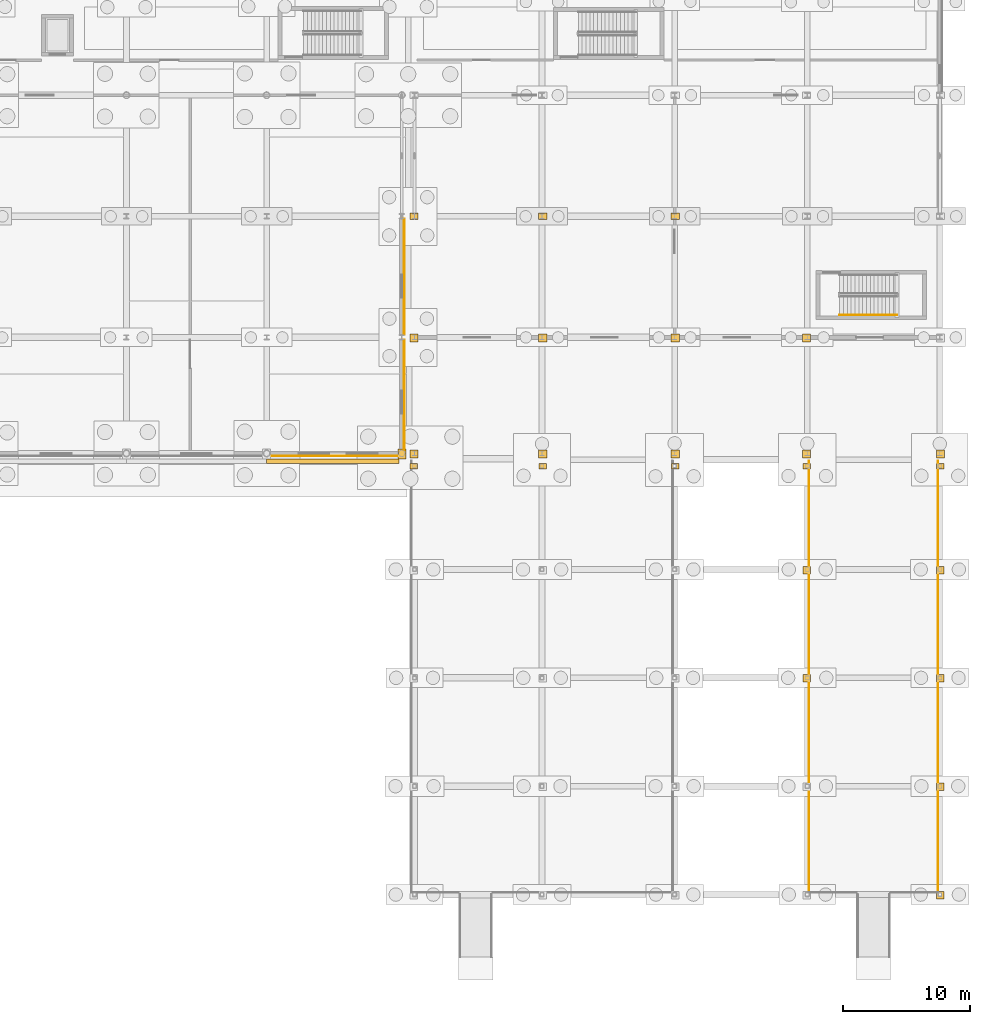
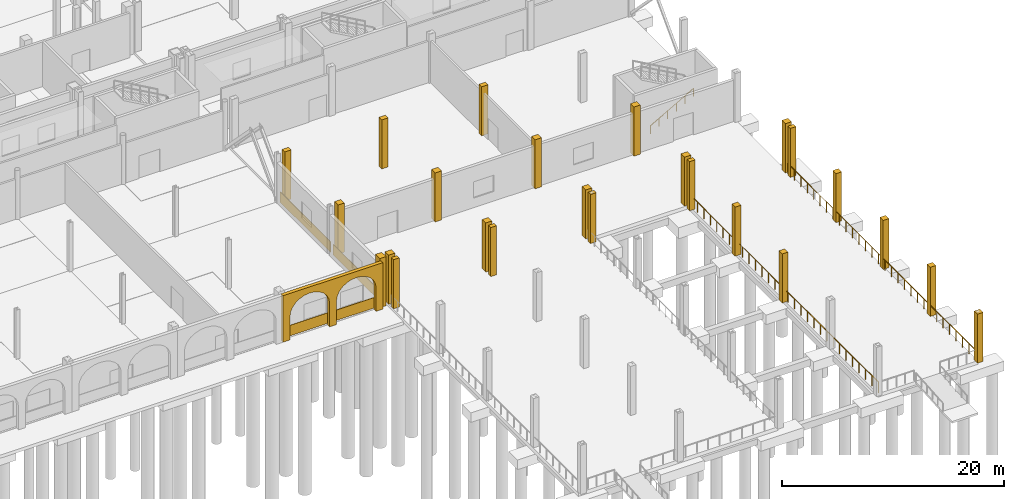
# One storey, part 79 of 83: 28 coverings, 3 railings.
"""IFC4 building model written with IfcOpenShell, lengths in metres."""

from ifc_helpers import new_model, si_unit, direction, frame, frame_2d, origin, origin_2d, place, context, subcontext, project, spatial, polyline, rectangle, circle, outline, extrude, material, layer, layer_set, type_object, element, save


model = new_model("IFC4")

# Units and contexts
model_context = context("Model", 3, precision=1e-05, world=origin(), true_north=direction((0.0, 1.0)))
body_context = subcontext(model_context, "Body", "Model", "MODEL_VIEW")
ifc_project = project(units=[si_unit("LENGTHUNIT", "METRE"), si_unit("AREAUNIT", "SQUARE_METRE"), si_unit("VOLUMEUNIT", "CUBIC_METRE"), si_unit("PLANEANGLEUNIT", "RADIAN"), si_unit("MASSUNIT", "GRAM", prefix="KILO")], contexts=[model_context])

# Site, building, storey
site_placement = place(None, origin())
site = spatial("IfcSite", under=ifc_project, at=site_placement, CompositionType="ELEMENT")
building_placement = place(site_placement, origin())
building = spatial("IfcBuilding", under=site, at=building_placement, Name="Caurita Quay Ferry Terminal", CompositionType="ELEMENT")
storey_placement = place(building_placement, origin())
storey = spatial("IfcBuildingStorey", under=building, at=storey_placement, Name="L00", CompositionType="ELEMENT", Elevation=0.0)

# Coverings
ifc_material_1 = material(Name="Warm-white lime stucco masonry", Category="masonry")
ifc_layer_1 = layer(ifc_material_1, 0.360107421875, Name="Spanish Colonial semicircular lime-stucco portales arcade 360 mm")
ifc_layer_set_1 = layer_set([ifc_layer_1], Name="Warm-white lime stucco masonry")
covering_type_1 = type_object("IfcCoveringType", Name="COV-ARC-CLD", PredefinedType="CLADDING", material=ifc_layer_set_1)
covering_1_placement = place(storey_placement, frame((121.199951171875, 34.0, 0.0), z_axis=(0.0, 0.0, 1.0), x_axis=(1.0, 0.0, 0.0)))
element("IfcCovering", 1, at=covering_1_placement, inside=storey, type_object=covering_type_1, Name="Harbourfront Coral-Stone Portales Arcade 029", PredefinedType="CLADDING", context=body_context, shape_type="SweptSolid", body=[
    extrude(outline(polyline([(0.0, 0.0), (0.719970703125, 0.0), (0.719970703125, 2.60009765625), (0.790283203125, 3.078857421875), (0.99609375, 3.52490234375), (1.323486328125, 3.908203125), (1.75, 4.2021484375), (2.246826171875, 4.386962890625), (2.780029296875, 4.449951171875), (3.313232421875, 4.386962890625), (3.81005859375, 4.2021484375), (4.23681640625, 3.908203125), (4.56396484375, 3.52490234375), (4.769775390625, 3.078857421875), (4.840087890625, 2.60009765625), (4.840087890625, 0.0), (5.56005859375, 0.0), (5.56005859375, 2.60009765625), (5.63037109375, 3.078857421875), (5.836181640625, 3.52490234375), (6.163330078125, 3.908203125), (6.590087890625, 4.2021484375), (7.0869140625, 4.386962890625), (7.6201171875, 4.449951171875), (8.1533203125, 4.386962890625), (8.650146484375, 4.2021484375), (9.07666015625, 3.908203125), (9.404052734375, 3.52490234375), (9.60986328125, 3.078857421875), (9.68017578125, 2.60009765625), (9.68017578125, 0.0), (10.400146484375, 0.0), (10.400146484375, 5.1201171875), (0.0, 5.1201171875), (0.0, 0.0)])), frame((0.0, 0.18017578125, 0.0), z_axis=(0.0, -1.0, 0.0), x_axis=(1.0, 0.0, 0.0)), (0.0, 0.0, 1.0), 0.360107421875),
])
ifc_material_2 = material(Name="Coral stone ashlar cladding", Category="masonry")
ifc_layer_2 = layer(ifc_material_2, 0.054931640625, Name="Rusticated coral-stone basamento plinth cladding 55 mm")
ifc_layer_set_2 = layer_set([ifc_layer_2], Name="Coral stone ashlar cladding")
covering_type_2 = type_object("IfcCoveringType", Name="COV-CORAL-CLD", PredefinedType="CLADDING", material=ifc_layer_set_2)
covering_2_placement = place(storey_placement, frame((131.9951171875, 34.845947265625, 0.0), z_axis=(0.0, 0.0, 1.0), x_axis=(0.0, 1.0, 0.0)))
element("IfcCovering", 2, at=covering_2_placement, inside=storey, type_object=covering_type_2, Name="Coral-Stone Basamento Cladding 133", PredefinedType="CLADDING", context=body_context, shape_type="SweptSolid", body=[
    extrude(rectangle(XDim=8.6591796875, YDim=0.054931640625, at=frame_2d((4.32958984375, 0.0))), origin(), (0.0, 0.0, 1.0), 1.14990234375),
])
covering_3_placement = place(storey_placement, frame((131.9951171875, 43.89501953125, 0.0), z_axis=(0.0, 0.0, 1.0), x_axis=(0.0, 1.0, 0.0)))
element("IfcCovering", 3, at=covering_3_placement, inside=storey, type_object=covering_type_2, Name="Coral-Stone Basamento Cladding 134", PredefinedType="CLADDING", context=body_context, shape_type="SweptSolid", body=[
    extrude(rectangle(XDim=9.110107421875, YDim=0.054931640625, at=frame_2d((4.55517578125, 0.0))), origin(), (0.0, 0.0, 1.0), 1.14990234375),
])
covering_4_placement = place(storey_placement, frame((121.446044921875, 34.405029296875, 0.0), z_axis=(0.0, 0.0, 1.0), x_axis=(1.0, 0.0, 0.0)))
element("IfcCovering", 4, at=covering_4_placement, inside=storey, type_object=covering_type_2, Name="Coral-Stone Basamento Cladding 140", PredefinedType="CLADDING", context=body_context, shape_type="SweptSolid", body=[
    extrude(rectangle(XDim=10.10791015625, YDim=0.054931640625, at=frame_2d((5.053955078125, 0.0))), origin(), (0.0, 0.0, 1.0), 1.14990234375),
])
ifc_layer_3 = layer(ifc_material_1, 0.179931640625, Name="Classical engaged lime-stucco facade pilaster cladding 180 mm")
ifc_layer_set_3 = layer_set([ifc_layer_3], Name="Warm-white lime stucco masonry")
covering_type_3 = type_object("IfcCoveringType", Name="COV-PIL-CLD", PredefinedType="CLADDING", material=ifc_layer_set_3)
covering_5_placement = place(storey_placement, frame((131.800048828125, 34.550048828125, 0.0), z_axis=(0.0, 0.0, 1.0), x_axis=(1.0, 0.0, 0.0)))
element("IfcCovering", 5, at=covering_5_placement, inside=storey, type_object=covering_type_3, Name="L00 Classical Engaged Pilaster 0110", PredefinedType="CLADDING", context=body_context, shape_type="SweptSolid", body=[
    extrude(rectangle(XDim=0.6279296875, YDim=0.7880859375, at=origin_2d()), origin(), (0.0, 0.0, 1.0), 5.39990234375),
])
for number, where, z_axis, x_axis, name in (
    (6, (132.75, 34.550048828125, 0.0), (0.0, 0.0, 1.0), (1.0, 0.0, 0.0), "L00 Classical Engaged Pilaster 0117"),
    (7, (132.75, 43.64990234375, 0.0), (0.0, 0.0, 1.0), (1.0, 0.0, 0.0), "L00 Classical Engaged Pilaster 0119"),
):
    element("IfcCovering", number, at=place(storey_placement, frame(where, z_axis=z_axis, x_axis=x_axis)), inside=storey, type_object=covering_type_3, Name=name, PredefinedType="CLADDING", context=body_context, shape_type="SweptSolid", body=[
        extrude(rectangle(XDim=0.65087890625, YDim=0.643310546875, at=origin_2d()), origin(), (0.0, 0.0, 1.0), 5.39990234375),
    ])
covering_6_placement = place(storey_placement, frame((132.75, 53.199951171875, 0.0), z_axis=(0.0, 0.0, 1.0), x_axis=(1.0, 0.0, 0.0)))
element("IfcCovering", 8, at=covering_6_placement, inside=storey, type_object=covering_type_3, Name="L00 Classical Engaged Pilaster 0121", PredefinedType="CLADDING", context=body_context, shape_type="SweptSolid", body=[
    extrude(rectangle(XDim=0.65087890625, YDim=0.483154296875, at=origin_2d()), origin(), (0.0, 0.0, 1.0), 5.39990234375),
])
covering_7_placement = place(storey_placement, frame((132.75, 33.60009765625, 0.0), z_axis=(0.0, 0.0, 1.0), x_axis=(1.0, 0.0, 0.0)))
element("IfcCovering", 9, at=covering_7_placement, inside=storey, type_object=covering_type_3, Name="L00 Classical Engaged Pilaster 0134", PredefinedType="CLADDING", context=body_context, shape_type="SweptSolid", body=[
    extrude(rectangle(XDim=0.584716796875, YDim=0.4248046875, at=origin_2d()), origin(), (0.0, 0.0, 1.0), 5.39990234375),
])
for number, where, z_axis, x_axis, name in (
    (10, (142.85009765625, 34.550048828125, 0.0), (0.0, 0.0, 1.0), (1.0, 0.0, 0.0), "L00 Classical Engaged Pilaster 0136"),
    (11, (142.85009765625, 43.64990234375, 0.0), (0.0, 0.0, 1.0), (1.0, 0.0, 0.0), "L00 Classical Engaged Pilaster 0138"),
):
    element("IfcCovering", number, at=place(storey_placement, frame(where, z_axis=z_axis, x_axis=x_axis)), inside=storey, type_object=covering_type_3, Name=name, PredefinedType="CLADDING", context=body_context, shape_type="SweptSolid", body=[
        extrude(rectangle(XDim=0.65087890625, YDim=0.643310546875, at=origin_2d()), origin(), (0.0, 0.0, 1.0), 5.39990234375),
    ])
covering_8_placement = place(storey_placement, frame((142.85009765625, 53.199951171875, 0.0), z_axis=(0.0, 0.0, 1.0), x_axis=(1.0, 0.0, 0.0)))
element("IfcCovering", 12, at=covering_8_placement, inside=storey, type_object=covering_type_3, Name="L00 Classical Engaged Pilaster 0140", PredefinedType="CLADDING", context=body_context, shape_type="SweptSolid", body=[
    extrude(rectangle(XDim=0.65087890625, YDim=0.483154296875, at=origin_2d()), origin(), (0.0, 0.0, 1.0), 5.39990234375),
])
covering_9_placement = place(storey_placement, frame((142.85009765625, 33.60009765625, 0.0), z_axis=(0.0, 0.0, 1.0), x_axis=(1.0, 0.0, 0.0)))
element("IfcCovering", 13, at=covering_9_placement, inside=storey, type_object=covering_type_3, Name="L00 Classical Engaged Pilaster 0153", PredefinedType="CLADDING", context=body_context, shape_type="SweptSolid", body=[
    extrude(rectangle(XDim=0.584716796875, YDim=0.4248046875, at=origin_2d()), origin(), (0.0, 0.0, 1.0), 5.39990234375),
])
for number, where, z_axis, x_axis, name in (
    (14, (153.25, 34.550048828125, 0.0), (0.0, 0.0, 1.0), (1.0, 0.0, 0.0), "L00 Classical Engaged Pilaster 0155"),
    (15, (153.25, 43.64990234375, 0.0), (0.0, 0.0, 1.0), (1.0, 0.0, 0.0), "L00 Classical Engaged Pilaster 0157"),
):
    element("IfcCovering", number, at=place(storey_placement, frame(where, z_axis=z_axis, x_axis=x_axis)), inside=storey, type_object=covering_type_3, Name=name, PredefinedType="CLADDING", context=body_context, shape_type="SweptSolid", body=[
        extrude(rectangle(XDim=0.65087890625, YDim=0.643310546875, at=origin_2d()), origin(), (0.0, 0.0, 1.0), 5.39990234375),
    ])
covering_10_placement = place(storey_placement, frame((153.25, 53.199951171875, 0.0), z_axis=(0.0, 0.0, 1.0), x_axis=(1.0, 0.0, 0.0)))
element("IfcCovering", 16, at=covering_10_placement, inside=storey, type_object=covering_type_3, Name="L00 Classical Engaged Pilaster 0159", PredefinedType="CLADDING", context=body_context, shape_type="SweptSolid", body=[
    extrude(rectangle(XDim=0.65087890625, YDim=0.483154296875, at=origin_2d()), origin(), (0.0, 0.0, 1.0), 5.39990234375),
])
covering_11_placement = place(storey_placement, frame((153.25, 33.60009765625, 0.0), z_axis=(0.0, 0.0, 1.0), x_axis=(1.0, 0.0, 0.0)))
element("IfcCovering", 17, at=covering_11_placement, inside=storey, type_object=covering_type_3, Name="L00 Classical Engaged Pilaster 0169", PredefinedType="CLADDING", context=body_context, shape_type="SweptSolid", body=[
    extrude(rectangle(XDim=0.584716796875, YDim=0.4248046875, at=origin_2d()), origin(), (0.0, 0.0, 1.0), 5.39990234375),
])
for number, where, z_axis, x_axis, name in (
    (18, (163.550048828125, 34.550048828125, 0.0), (0.0, 0.0, 1.0), (1.0, 0.0, 0.0), "L00 Classical Engaged Pilaster 0170"),
    (19, (163.550048828125, 43.64990234375, 0.0), (0.0, 0.0, 1.0), (1.0, 0.0, 0.0), "L00 Classical Engaged Pilaster 0172"),
):
    element("IfcCovering", number, at=place(storey_placement, frame(where, z_axis=z_axis, x_axis=x_axis)), inside=storey, type_object=covering_type_3, Name=name, PredefinedType="CLADDING", context=body_context, shape_type="SweptSolid", body=[
        extrude(rectangle(XDim=0.65087890625, YDim=0.643310546875, at=origin_2d()), origin(), (0.0, 0.0, 1.0), 5.39990234375),
    ])
for number, where, z_axis, x_axis, name in (
    (20, (163.550048828125, 16.949951171875, 0.0), (0.0, 0.0, 1.0), (1.0, 0.0, 0.0), "L00 Classical Engaged Pilaster 0183"),
    (21, (163.550048828125, 25.449951171875, 0.0), (0.0, 0.0, 1.0), (1.0, 0.0, 0.0), "L00 Classical Engaged Pilaster 0185"),
):
    element("IfcCovering", number, at=place(storey_placement, frame(where, z_axis=z_axis, x_axis=x_axis)), inside=storey, type_object=covering_type_3, Name=name, PredefinedType="CLADDING", context=body_context, shape_type="SweptSolid", body=[
        extrude(rectangle(XDim=0.584716796875, YDim=0.584716796875, at=origin_2d()), origin(), (0.0, 0.0, 1.0), 5.39990234375),
    ])
covering_12_placement = place(storey_placement, frame((163.550048828125, 33.60009765625, 0.0), z_axis=(0.0, 0.0, 1.0), x_axis=(1.0, 0.0, 0.0)))
element("IfcCovering", 22, at=covering_12_placement, inside=storey, type_object=covering_type_3, Name="L00 Classical Engaged Pilaster 0187", PredefinedType="CLADDING", context=body_context, shape_type="SweptSolid", body=[
    extrude(rectangle(XDim=0.584716796875, YDim=0.4248046875, at=origin_2d()), origin(), (0.0, 0.0, 1.0), 5.39990234375),
])
covering_13_placement = place(storey_placement, frame((174.050048828125, 34.550048828125, 0.0), z_axis=(0.0, 0.0, 1.0), x_axis=(1.0, 0.0, 0.0)))
element("IfcCovering", 23, at=covering_13_placement, inside=storey, type_object=covering_type_3, Name="L00 Classical Engaged Pilaster 0189", PredefinedType="CLADDING", context=body_context, shape_type="SweptSolid", body=[
    extrude(rectangle(XDim=0.65087890625, YDim=0.643310546875, at=origin_2d()), origin(), (0.0, 0.0, 1.0), 5.39990234375),
])
for number, where, z_axis, x_axis, name in (
    (24, (174.050048828125, -0.050048828125, 0.0), (0.0, 0.0, 1.0), (1.0, 0.0, 0.0), "L00 Classical Engaged Pilaster 0199"),
    (25, (174.050048828125, 8.449951171875, 0.0), (0.0, 0.0, 1.0), (1.0, 0.0, 0.0), "L00 Classical Engaged Pilaster 0200"),
    (26, (174.050048828125, 16.949951171875, 0.0), (0.0, 0.0, 1.0), (1.0, 0.0, 0.0), "L00 Classical Engaged Pilaster 0202"),
    (27, (174.050048828125, 25.449951171875, 0.0), (0.0, 0.0, 1.0), (1.0, 0.0, 0.0), "L00 Classical Engaged Pilaster 0204"),
):
    element("IfcCovering", number, at=place(storey_placement, frame(where, z_axis=z_axis, x_axis=x_axis)), inside=storey, type_object=covering_type_3, Name=name, PredefinedType="CLADDING", context=body_context, shape_type="SweptSolid", body=[
        extrude(rectangle(XDim=0.584716796875, YDim=0.584716796875, at=origin_2d()), origin(), (0.0, 0.0, 1.0), 5.39990234375),
    ])
covering_14_placement = place(storey_placement, frame((174.050048828125, 33.60009765625, 0.0), z_axis=(0.0, 0.0, 1.0), x_axis=(1.0, 0.0, 0.0)))
element("IfcCovering", 28, at=covering_14_placement, inside=storey, type_object=covering_type_3, Name="L00 Classical Engaged Pilaster 0206", PredefinedType="CLADDING", context=body_context, shape_type="SweptSolid", body=[
    extrude(rectangle(XDim=0.584716796875, YDim=0.4248046875, at=origin_2d()), origin(), (0.0, 0.0, 1.0), 5.39990234375),
])

# Railings
ifc_material_3 = material(Name="Bronze architectural metalwork", Category="metal")
railing_type_1 = type_object("IfcRailingType", Name="RL-HND-090", PredefinedType="HANDRAIL", material=ifc_material_3)
railing_1_placement = place(storey_placement, frame((166.14990234375, 45.449951171875, 0.168701171875)))
element("IfcRailing", 29, at=railing_1_placement, inside=storey, type_object=railing_type_1, Name="L00 ST-11 stair handrail 1", PredefinedType="HANDRAIL", context=body_context, shape_type="SweptSolid", body=[
    extrude(circle(Radius=0.02392578125, at=origin_2d()), frame((0.0, 0.0, 0.8759765625), z_axis=(0.871575537125, 0.0, 0.490261239633), x_axis=(0.0, 1.0, 0.0)), (0.0, 0.0, 1.0), 5.1630859375),
    extrude(circle(Radius=0.02099609375, at=origin_2d()), origin(), (0.0, 0.0, 1.0), 0.851806640625),
    extrude(circle(Radius=0.02099609375, at=origin_2d()), frame((0.89990234375, 0.0, 0.50634765625)), (0.0, 0.0, 1.0), 0.851806640625),
    extrude(circle(Radius=0.02099609375, at=origin_2d()), frame((1.800048828125, 0.0, 1.012451171875)), (0.0, 0.0, 1.0), 0.851806640625),
    extrude(circle(Radius=0.02099609375, at=origin_2d()), frame((2.699951171875, 0.0, 1.518798828125)), (0.0, 0.0, 1.0), 0.851806640625),
    extrude(circle(Radius=0.02099609375, at=origin_2d()), frame((3.60009765625, 0.0, 2.02490234375)), (0.0, 0.0, 1.0), 0.851806640625),
    extrude(circle(Radius=0.02099609375, at=origin_2d()), frame((4.5, 0.0, 2.53125)), (0.0, 0.0, 1.0), 0.851806640625),
])
railing_type_2 = type_object("IfcRailingType", Name="RL-QUAY-115", PredefinedType="GUARDRAIL", material=ifc_material_3)
railing_2_placement = place(storey_placement, frame((163.75, 34.0, 0.0)))
element("IfcRailing", 30, at=railing_2_placement, inside=storey, type_object=railing_type_2, Name="Berth 2 Pier Guardrail W (011)", PredefinedType="GUARDRAIL", context=body_context, shape_type="SweptSolid", body=[
    extrude(circle(Radius=0.02392578125, at=origin_2d()), frame((0.0, 0.0, 1.1259765625), z_axis=(0.0, -1.0, 0.0), x_axis=(1.0, 0.0, 0.0)), (0.0, 0.0, 1.0), 33.85009765625),
    extrude(circle(Radius=0.02099609375, at=origin_2d()), origin(), (0.0, 0.0, 1.0), 1.101806640625),
    extrude(circle(Radius=0.02099609375, at=origin_2d()), frame((0.0, -1.167236328125, 0.0)), (0.0, 0.0, 1.0), 1.101806640625),
    extrude(circle(Radius=0.02099609375, at=origin_2d()), frame((0.0, -2.33447265625, 0.0)), (0.0, 0.0, 1.0), 1.101806640625),
    extrude(circle(Radius=0.02099609375, at=origin_2d()), frame((0.0, -3.501708984375, 0.0)), (0.0, 0.0, 1.0), 1.101806640625),
    extrude(circle(Radius=0.02099609375, at=origin_2d()), frame((0.0, -4.6689453125, 0.0)), (0.0, 0.0, 1.0), 1.101806640625),
    extrude(circle(Radius=0.02099609375, at=origin_2d()), frame((0.0, -5.836181640625, 0.0)), (0.0, 0.0, 1.0), 1.101806640625),
    extrude(circle(Radius=0.02099609375, at=origin_2d()), frame((0.0, -7.00341796875, 0.0)), (0.0, 0.0, 1.0), 1.101806640625),
    extrude(circle(Radius=0.02099609375, at=origin_2d()), frame((0.0, -8.170654296875, 0.0)), (0.0, 0.0, 1.0), 1.101806640625),
    extrude(circle(Radius=0.02099609375, at=origin_2d()), frame((0.0, -9.337890625, 0.0)), (0.0, 0.0, 1.0), 1.101806640625),
    extrude(circle(Radius=0.02099609375, at=origin_2d()), frame((0.0, -10.505126953125, 0.0)), (0.0, 0.0, 1.0), 1.101806640625),
    extrude(circle(Radius=0.02099609375, at=origin_2d()), frame((0.0, -11.67236328125, 0.0)), (0.0, 0.0, 1.0), 1.101806640625),
    extrude(circle(Radius=0.02099609375, at=origin_2d()), frame((0.0, -12.839599609375, 0.0)), (0.0, 0.0, 1.0), 1.101806640625),
    extrude(circle(Radius=0.02099609375, at=origin_2d()), frame((0.0, -14.0068359375, 0.0)), (0.0, 0.0, 1.0), 1.101806640625),
    extrude(circle(Radius=0.02099609375, at=origin_2d()), frame((0.0, -15.174072265625, 0.0)), (0.0, 0.0, 1.0), 1.101806640625),
    extrude(circle(Radius=0.02099609375, at=origin_2d()), frame((0.0, -16.34130859375, 0.0)), (0.0, 0.0, 1.0), 1.101806640625),
    extrude(circle(Radius=0.02099609375, at=origin_2d()), frame((0.0, -17.5087890625, 0.0)), (0.0, 0.0, 1.0), 1.101806640625),
    extrude(circle(Radius=0.02099609375, at=origin_2d()), frame((0.0, -18.676025390625, 0.0)), (0.0, 0.0, 1.0), 1.101806640625),
    extrude(circle(Radius=0.02099609375, at=origin_2d()), frame((0.0, -19.84326171875, 0.0)), (0.0, 0.0, 1.0), 1.101806640625),
    extrude(circle(Radius=0.02099609375, at=origin_2d()), frame((0.0, -21.010498046875, 0.0)), (0.0, 0.0, 1.0), 1.101806640625),
    extrude(circle(Radius=0.02099609375, at=origin_2d()), frame((0.0, -22.177734375, 0.0)), (0.0, 0.0, 1.0), 1.101806640625),
    extrude(circle(Radius=0.02099609375, at=origin_2d()), frame((0.0, -23.344970703125, 0.0)), (0.0, 0.0, 1.0), 1.101806640625),
    extrude(circle(Radius=0.02099609375, at=origin_2d()), frame((0.0, -24.51220703125, 0.0)), (0.0, 0.0, 1.0), 1.101806640625),
    extrude(circle(Radius=0.02099609375, at=origin_2d()), frame((0.0, -25.679443359375, 0.0)), (0.0, 0.0, 1.0), 1.101806640625),
    extrude(circle(Radius=0.02099609375, at=origin_2d()), frame((0.0, -26.8466796875, 0.0)), (0.0, 0.0, 1.0), 1.101806640625),
    extrude(circle(Radius=0.02099609375, at=origin_2d()), frame((0.0, -28.013916015625, 0.0)), (0.0, 0.0, 1.0), 1.101806640625),
    extrude(circle(Radius=0.02099609375, at=origin_2d()), frame((0.0, -29.18115234375, 0.0)), (0.0, 0.0, 1.0), 1.101806640625),
    extrude(circle(Radius=0.02099609375, at=origin_2d()), frame((0.0, -30.348388671875, 0.0)), (0.0, 0.0, 1.0), 1.101806640625),
    extrude(circle(Radius=0.02099609375, at=origin_2d()), frame((0.0, -31.515625, 0.0)), (0.0, 0.0, 1.0), 1.101806640625),
    extrude(circle(Radius=0.02099609375, at=origin_2d()), frame((0.0, -32.682861328125, 0.0)), (0.0, 0.0, 1.0), 1.101806640625),
    extrude(circle(Radius=0.02099609375, at=origin_2d()), frame((0.0, -33.85009765625, 0.0)), (0.0, 0.0, 1.0), 1.101806640625),
])
railing_3_placement = place(storey_placement, frame((173.85009765625, 0.14990234375, 0.0)))
element("IfcRailing", 31, at=railing_3_placement, inside=storey, type_object=railing_type_2, Name="Berth 2 Pier Guardrail E (014)", PredefinedType="GUARDRAIL", context=body_context, shape_type="SweptSolid", body=[
    extrude(circle(Radius=0.02392578125, at=origin_2d()), frame((0.0, 0.0, 1.1259765625), z_axis=(0.0, 1.0, 0.0), x_axis=(-1.0, 0.0, 0.0)), (0.0, 0.0, 1.0), 33.85009765625),
    extrude(circle(Radius=0.02099609375, at=origin_2d()), origin(), (0.0, 0.0, 1.0), 1.101806640625),
    extrude(circle(Radius=0.02099609375, at=origin_2d()), frame((0.0, 1.167236328125, 0.0)), (0.0, 0.0, 1.0), 1.101806640625),
    extrude(circle(Radius=0.02099609375, at=origin_2d()), frame((0.0, 2.33447265625, 0.0)), (0.0, 0.0, 1.0), 1.101806640625),
    extrude(circle(Radius=0.02099609375, at=origin_2d()), frame((0.0, 3.501708984375, 0.0)), (0.0, 0.0, 1.0), 1.101806640625),
    extrude(circle(Radius=0.02099609375, at=origin_2d()), frame((0.0, 4.6689453125, 0.0)), (0.0, 0.0, 1.0), 1.101806640625),
    extrude(circle(Radius=0.02099609375, at=origin_2d()), frame((0.0, 5.836181640625, 0.0)), (0.0, 0.0, 1.0), 1.101806640625),
    extrude(circle(Radius=0.02099609375, at=origin_2d()), frame((0.0, 7.00341796875, 0.0)), (0.0, 0.0, 1.0), 1.101806640625),
    extrude(circle(Radius=0.02099609375, at=origin_2d()), frame((0.0, 8.170654296875, 0.0)), (0.0, 0.0, 1.0), 1.101806640625),
    extrude(circle(Radius=0.02099609375, at=origin_2d()), frame((0.0, 9.337890625, 0.0)), (0.0, 0.0, 1.0), 1.101806640625),
    extrude(circle(Radius=0.02099609375, at=origin_2d()), frame((0.0, 10.505126953125, 0.0)), (0.0, 0.0, 1.0), 1.101806640625),
    extrude(circle(Radius=0.02099609375, at=origin_2d()), frame((0.0, 11.67236328125, 0.0)), (0.0, 0.0, 1.0), 1.101806640625),
    extrude(circle(Radius=0.02099609375, at=origin_2d()), frame((0.0, 12.839599609375, 0.0)), (0.0, 0.0, 1.0), 1.101806640625),
    extrude(circle(Radius=0.02099609375, at=origin_2d()), frame((0.0, 14.0068359375, 0.0)), (0.0, 0.0, 1.0), 1.101806640625),
    extrude(circle(Radius=0.02099609375, at=origin_2d()), frame((0.0, 15.174072265625, 0.0)), (0.0, 0.0, 1.0), 1.101806640625),
    extrude(circle(Radius=0.02099609375, at=origin_2d()), frame((0.0, 16.34130859375, 0.0)), (0.0, 0.0, 1.0), 1.101806640625),
    extrude(circle(Radius=0.02099609375, at=origin_2d()), frame((0.0, 17.5087890625, 0.0)), (0.0, 0.0, 1.0), 1.101806640625),
    extrude(circle(Radius=0.02099609375, at=origin_2d()), frame((0.0, 18.676025390625, 0.0)), (0.0, 0.0, 1.0), 1.101806640625),
    extrude(circle(Radius=0.02099609375, at=origin_2d()), frame((0.0, 19.84326171875, 0.0)), (0.0, 0.0, 1.0), 1.101806640625),
    extrude(circle(Radius=0.02099609375, at=origin_2d()), frame((0.0, 21.010498046875, 0.0)), (0.0, 0.0, 1.0), 1.101806640625),
    extrude(circle(Radius=0.02099609375, at=origin_2d()), frame((0.0, 22.177734375, 0.0)), (0.0, 0.0, 1.0), 1.101806640625),
    extrude(circle(Radius=0.02099609375, at=origin_2d()), frame((0.0, 23.344970703125, 0.0)), (0.0, 0.0, 1.0), 1.101806640625),
    extrude(circle(Radius=0.02099609375, at=origin_2d()), frame((0.0, 24.51220703125, 0.0)), (0.0, 0.0, 1.0), 1.101806640625),
    extrude(circle(Radius=0.02099609375, at=origin_2d()), frame((0.0, 25.679443359375, 0.0)), (0.0, 0.0, 1.0), 1.101806640625),
    extrude(circle(Radius=0.02099609375, at=origin_2d()), frame((0.0, 26.8466796875, 0.0)), (0.0, 0.0, 1.0), 1.101806640625),
    extrude(circle(Radius=0.02099609375, at=origin_2d()), frame((0.0, 28.013916015625, 0.0)), (0.0, 0.0, 1.0), 1.101806640625),
    extrude(circle(Radius=0.02099609375, at=origin_2d()), frame((0.0, 29.18115234375, 0.0)), (0.0, 0.0, 1.0), 1.101806640625),
    extrude(circle(Radius=0.02099609375, at=origin_2d()), frame((0.0, 30.348388671875, 0.0)), (0.0, 0.0, 1.0), 1.101806640625),
    extrude(circle(Radius=0.02099609375, at=origin_2d()), frame((0.0, 31.515625, 0.0)), (0.0, 0.0, 1.0), 1.101806640625),
    extrude(circle(Radius=0.02099609375, at=origin_2d()), frame((0.0, 32.682861328125, 0.0)), (0.0, 0.0, 1.0), 1.101806640625),
    extrude(circle(Radius=0.02099609375, at=origin_2d()), frame((0.0, 33.85009765625, 0.0)), (0.0, 0.0, 1.0), 1.101806640625),
])

save(model, "model.ifc")
